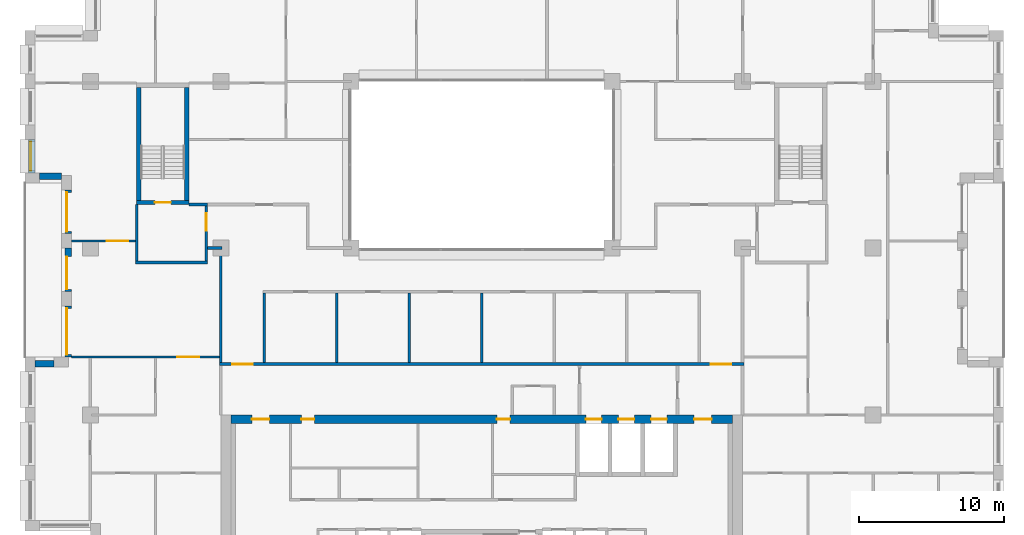
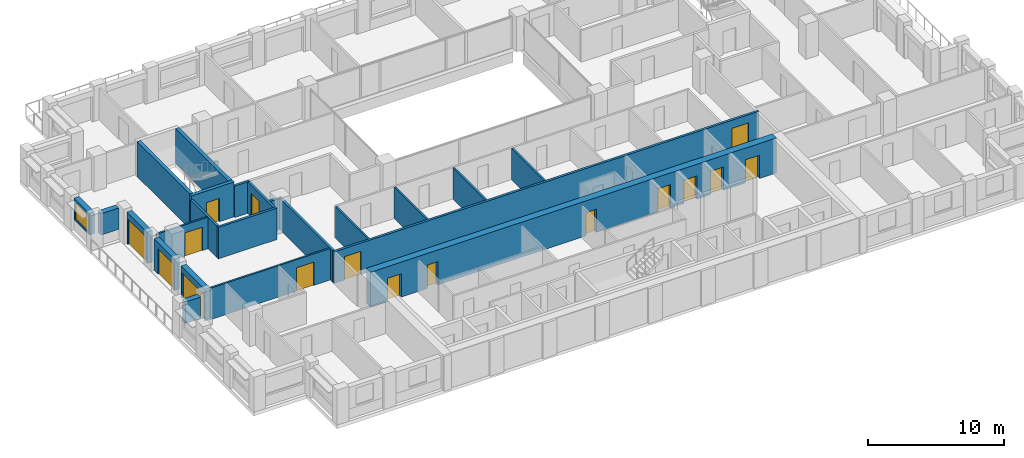
# One storey, part 9 of 15: 23 walls, 16 doors, 1 window, 17 openings.
"""IFC4 building model written with IfcOpenShell, lengths in metres."""

from ifc_helpers import new_model, si_unit, direction, frame, frame_2d, origin, place, context, subcontext, project, spatial, rectangle, extrude, material, layer, layer_set, type_object, element, fill, save


model = new_model("IFC4")

# Units and contexts
model_context = context("Model", 3, precision=1e-05, world=origin(), true_north=direction((0.0, 1.0)))
body_context = subcontext(model_context, "Body", "Model", "MODEL_VIEW")
ifc_project = project(units=[si_unit("LENGTHUNIT", "METRE"), si_unit("AREAUNIT", "SQUARE_METRE"), si_unit("VOLUMEUNIT", "CUBIC_METRE"), si_unit("PLANEANGLEUNIT", "RADIAN"), si_unit("MASSUNIT", "GRAM", prefix="KILO")], contexts=[model_context])

# Site, building, storey
site_placement = place(None, origin())
site = spatial("IfcSite", under=ifc_project, at=site_placement, CompositionType="ELEMENT")
building_placement = place(site_placement, origin())
building = spatial("IfcBuilding", under=site, at=building_placement, Name="Brigalow Station Residences", CompositionType="ELEMENT")
storey_placement = place(building_placement, frame((0.0, 0.0, 150.75)))
storey = spatial("IfcBuildingStorey", under=building, at=storey_placement, Name="L43", CompositionType="ELEMENT", Elevation=150.75)

# Wall, opening, window
ifc_material_1 = material(Name="Clay brick masonry", Category="masonry")
ifc_layer_1 = layer(ifc_material_1, 0.449951171875)
ifc_layer_set_1 = layer_set([ifc_layer_1], Name="BRICK INFILL WALL 450")
wall_type_1 = type_object("IfcWallType", Name="BRICK INFILL WALL 450", PredefinedType="SOLIDWALL", material=ifc_layer_set_1)
wall_1_placement = place(storey_placement, frame((4.97509765625, 31.5, 0.89990234375), z_axis=(0.0, 0.0, 1.0), x_axis=(0.0, -1.0, 0.0)))
wall_1 = element("IfcWall", 1, at=wall_1_placement, inside=storey, type_object=wall_type_1, Name="L43/ewall/W-L43-39", PredefinedType="SOLIDWALL", context=body_context, shape_type="SweptSolid", body=[
    extrude(rectangle(XDim=2.300048828125, YDim=0.449951171875, at=frame_2d((1.14990234375, 0.0))), origin(), (0.0, 0.0, 1.0), 1.93017578125),
])
opening_1_placement = place(wall_1_placement, frame((0.14990234375, 0.0, 0.14990234375)))
opening_1 = element("IfcOpeningElement", 2, at=opening_1_placement, cuts=wall_1, Name="Opening WT-7", PredefinedType="OPENING", context=body_context, shape_type="SweptSolid", body=[
    extrude(rectangle(XDim=2.0, YDim=1.5, at=frame_2d((1.0, 0.75))), frame((0.0, 0.23486328125, 0.0), z_axis=(0.0, -1.0, 0.0), x_axis=(1.0, 0.0, 0.0)), (0.0, 0.0, 1.0), 0.469970703125),
])
ifc_material_2 = material(Name="Anodised aluminium frame with double glazing", Category="aluminium")
window_type = type_object("IfcWindowType", Name="WINDOW 2000x1500", PartitioningType="SINGLE_PANEL", PredefinedType="WINDOW", material=ifc_material_2)
window_placement = place(opening_1_placement, origin())
window = element("IfcWindow", 3, at=window_placement, inside=storey, type_object=window_type, Name="L43/window/W-L43-39", OverallHeight=1.5, OverallWidth=2.0, PartitioningType="SINGLE_PANEL", PredefinedType="WINDOW", context=body_context, shape_type="SweptSolid", body=[
    extrude(rectangle(XDim=2.0, YDim=1.5, at=frame_2d((1.0, 0.75))), frame((0.0, -0.06494140625, 0.0), z_axis=(0.0, -1.0, 0.0), x_axis=(1.0, 0.0, 0.0)), (0.0, 0.0, 1.0), 0.06005859375),
])
fill(opening_1, window)

# Wall
wall_2_placement = place(storey_placement, frame((5.5, 28.97509765625, 0.89990234375), z_axis=(0.0, 0.0, 1.0), x_axis=(1.0, 0.0, 0.0)))
element("IfcWall", 4, at=wall_2_placement, inside=storey, type_object=wall_type_1, Name="L43/ewall/W-L43-40", PredefinedType="SOLIDWALL", context=body_context, shape_type="SweptSolid", body=[
    extrude(rectangle(XDim=1.5, YDim=0.449951171875, at=frame_2d((0.75, 0.0))), origin(), (0.0, 0.0, 1.0), 1.93017578125),
])

# Wall, opening, door
wall_3_placement = place(storey_placement, frame((7.47509765625, 28.0, 0.0), z_axis=(0.0, 0.0, 1.0), x_axis=(0.0, -1.0, 0.0)))
wall_3 = element("IfcWall", 5, at=wall_3_placement, inside=storey, type_object=wall_type_1, Name="L43/ewall/W-L43-41", PredefinedType="SOLIDWALL", context=body_context, shape_type="SweptSolid", body=[
    extrude(rectangle(XDim=3.0, YDim=0.449951171875, at=frame_2d((1.5, 0.0))), origin(), (0.0, 0.0, 1.0), 2.830078125),
])
opening_2_placement = place(wall_3_placement, frame((0.14990234375, 0.0, 0.0)))
opening_2 = element("IfcOpeningElement", 6, at=opening_2_placement, cuts=wall_3, Name="Opening D-B2700", PredefinedType="OPENING", context=body_context, shape_type="SweptSolid", body=[
    extrude(rectangle(XDim=2.699951171875, YDim=2.300048828125, at=frame_2d((1.35009765625, 1.14990234375))), frame((0.0, 0.23486328125, 0.0), z_axis=(0.0, -1.0, 0.0), x_axis=(1.0, 0.0, 0.0)), (0.0, 0.0, 1.0), 0.469970703125),
])
ifc_material_3 = material(Name="Anodised aluminium frame with double glazing", Category="aluminium")
door_type_1 = type_object("IfcDoorType", Name="BALCONY SLIDING DOOR 2700x2300", OperationType="SLIDING_TO_LEFT", PredefinedType="DOOR", material=ifc_material_3)
door_1_placement = place(opening_2_placement, origin())
door_1 = element("IfcDoor", 7, at=door_1_placement, inside=storey, type_object=door_type_1, Name="L43/balcony-door/W-L43-41", OperationType="SLIDING_TO_LEFT", OverallHeight=2.300048828125, OverallWidth=2.699951171875, PredefinedType="DOOR", context=body_context, shape_type="SweptSolid", body=[
    extrude(rectangle(XDim=2.699951171875, YDim=2.300048828125, at=frame_2d((1.35009765625, 1.14990234375))), frame((0.0, -0.06982421875, 0.0), z_axis=(0.0, -1.0, 0.0), x_axis=(1.0, 0.0, 0.0)), (0.0, 0.0, 1.0), 0.050048828125),
])
fill(opening_2, door_1)

wall_4_placement = place(storey_placement, frame((7.47509765625, 24.0, 0.0), z_axis=(0.0, 0.0, 1.0), x_axis=(0.0, -1.0, 0.0)))
wall_4 = element("IfcWall", 8, at=wall_4_placement, inside=storey, type_object=wall_type_1, Name="L43/ewall/W-L43-42", PredefinedType="SOLIDWALL", context=body_context, shape_type="SweptSolid", body=[
    extrude(rectangle(XDim=3.0, YDim=0.449951171875, at=frame_2d((1.5, 0.0))), origin(), (0.0, 0.0, 1.0), 2.830078125),
])
opening_3_placement = place(wall_4_placement, frame((0.5849609375, 0.0, 0.0)))
opening_3 = element("IfcOpeningElement", 9, at=opening_3_placement, cuts=wall_4, Name="Opening D-B2250", PredefinedType="OPENING", context=body_context, shape_type="SweptSolid", body=[
    extrude(rectangle(XDim=2.25, YDim=2.300048828125, at=frame_2d((1.125, 1.14990234375))), frame((0.0, 0.23486328125, 0.0), z_axis=(0.0, -1.0, 0.0), x_axis=(1.0, 0.0, 0.0)), (0.0, 0.0, 1.0), 0.469970703125),
])
ifc_material_4 = material(Name="Anodised aluminium frame with double glazing", Category="aluminium")
door_type_2 = type_object("IfcDoorType", Name="BALCONY SLIDING DOOR 2250x2300", OperationType="SLIDING_TO_LEFT", PredefinedType="DOOR", material=ifc_material_4)
door_2_placement = place(opening_3_placement, origin())
door_2 = element("IfcDoor", 10, at=door_2_placement, inside=storey, type_object=door_type_2, Name="L43/balcony-door/W-L43-42", OperationType="SLIDING_TO_LEFT", OverallHeight=2.300048828125, OverallWidth=2.25, PredefinedType="DOOR", context=body_context, shape_type="SweptSolid", body=[
    extrude(rectangle(XDim=2.25, YDim=2.300048828125, at=frame_2d((1.125, 1.14990234375))), frame((0.0, -0.06982421875, 0.0), z_axis=(0.0, -1.0, 0.0), x_axis=(1.0, 0.0, 0.0)), (0.0, 0.0, 1.0), 0.050048828125),
])
fill(opening_3, door_2)

wall_5_placement = place(storey_placement, frame((7.47509765625, 20.0, 0.0), z_axis=(0.0, 0.0, 1.0), x_axis=(0.0, -1.0, 0.0)))
wall_5 = element("IfcWall", 11, at=wall_5_placement, inside=storey, type_object=wall_type_1, Name="L43/ewall/W-L43-43", PredefinedType="SOLIDWALL", context=body_context, shape_type="SweptSolid", body=[
    extrude(rectangle(XDim=3.5, YDim=0.449951171875, at=frame_2d((1.75, 0.0))), origin(), (0.0, 0.0, 1.0), 2.830078125),
])
opening_4_placement = place(wall_5_placement, frame((0.14990234375, 0.0, 0.0)))
opening_4 = element("IfcOpeningElement", 12, at=opening_4_placement, cuts=wall_5, Name="Opening D-B3200", PredefinedType="OPENING", context=body_context, shape_type="SweptSolid", body=[
    extrude(rectangle(XDim=3.199951171875, YDim=2.300048828125, at=frame_2d((1.60009765625, 1.14990234375))), frame((0.0, 0.23486328125, 0.0), z_axis=(0.0, -1.0, 0.0), x_axis=(1.0, 0.0, 0.0)), (0.0, 0.0, 1.0), 0.469970703125),
])
ifc_material_5 = material(Name="Anodised aluminium frame with double glazing", Category="aluminium")
door_type_3 = type_object("IfcDoorType", Name="BALCONY SLIDING DOOR 3200x2300", OperationType="SLIDING_TO_LEFT", PredefinedType="DOOR", material=ifc_material_5)
door_3_placement = place(opening_4_placement, origin())
door_3 = element("IfcDoor", 13, at=door_3_placement, inside=storey, type_object=door_type_3, Name="L43/balcony-door/W-L43-43", OperationType="SLIDING_TO_LEFT", OverallHeight=2.300048828125, OverallWidth=3.199951171875, PredefinedType="DOOR", context=body_context, shape_type="SweptSolid", body=[
    extrude(rectangle(XDim=3.199951171875, YDim=2.300048828125, at=frame_2d((1.60009765625, 1.14990234375))), frame((0.0, -0.06982421875, 0.0), z_axis=(0.0, -1.0, 0.0), x_axis=(1.0, 0.0, 0.0)), (0.0, 0.0, 1.0), 0.050048828125),
])
fill(opening_4, door_3)

# Wall
wall_6_placement = place(storey_placement, frame((6.5, 16.02490234375, 0.89990234375), z_axis=(0.0, 0.0, 1.0), x_axis=(-1.0, 0.0, 0.0)))
element("IfcWall", 14, at=wall_6_placement, inside=storey, type_object=wall_type_1, Name="L43/ewall/W-L43-44", PredefinedType="SOLIDWALL", context=body_context, shape_type="SweptSolid", body=[
    extrude(rectangle(XDim=1.300048828125, YDim=0.449951171875, at=frame_2d((0.64990234375, 0.0))), origin(), (0.0, 0.0, 1.0), 1.93017578125),
])

# Wall, opening, door
ifc_material_6 = material(Name="Concrete C65", Category="concrete")
ifc_layer_2 = layer(ifc_material_6, 0.300048828125)
ifc_layer_set_2 = layer_set([ifc_layer_2], Name="CORE SHEAR WALL 300 C65")
wall_type_2 = type_object("IfcWallType", Name="CORE SHEAR WALL 300 C65", PredefinedType="SHEAR", material=ifc_layer_set_2)
wall_7_placement = place(storey_placement, frame((12.199951171875, 27.14990234375, 0.0), z_axis=(0.0, 0.0, 1.0), x_axis=(1.0, 0.0, 0.0)))
wall_7 = element("IfcWall", 15, at=wall_7_placement, inside=storey, type_object=wall_type_2, Name="CORE WALL ST-S1-S L43", PredefinedType="SHEAR", context=body_context, shape_type="SweptSolid", body=[
    extrude(rectangle(XDim=3.60009765625, YDim=0.300048828125, at=frame_2d((1.800048828125, 0.0))), origin(), (0.0, 0.0, 1.0), 3.14990234375),
])
opening_5_placement = place(wall_7_placement, frame((1.25, 0.0, 0.0)))
opening_5 = element("IfcOpeningElement", 16, at=opening_5_placement, cuts=wall_7, Name="Opening D-5015", PredefinedType="OPENING", context=body_context, shape_type="SweptSolid", body=[
    extrude(rectangle(XDim=1.10009765625, YDim=2.10009765625, at=frame_2d((0.550048828125, 1.050048828125))), frame((0.0, 0.16015625, 0.0), z_axis=(0.0, -1.0, 0.0), x_axis=(1.0, 0.0, 0.0)), (0.0, 0.0, 1.0), 0.320068359375),
])
ifc_material_7 = material(Name="Steel fire door leaf in steel frame", Category="steel")
door_type_4 = type_object("IfcDoorType", Name="STAIR DOOR 1100 x 2100 FD60S", OperationType="SINGLE_SWING_LEFT", PredefinedType="DOOR", material=ifc_material_7)
door_4_placement = place(opening_5_placement, origin())
door_4 = element("IfcDoor", 17, at=door_4_placement, inside=storey, type_object=door_type_4, Name="D-5015", OperationType="SINGLE_SWING_LEFT", OverallHeight=2.10009765625, OverallWidth=1.10009765625, PredefinedType="DOOR", context=body_context, shape_type="SweptSolid", body=[
    extrude(rectangle(XDim=1.10009765625, YDim=2.10009765625, at=frame_2d((0.550048828125, 1.050048828125))), frame((0.0, 0.02490234375, 0.0), z_axis=(0.0, -1.0, 0.0), x_axis=(1.0, 0.0, 0.0)), (0.0, 0.0, 1.0), 0.050048828125),
])
fill(opening_5, door_4)

# Walls
for number, where, z_axis, x_axis, name in (
    (18, (12.35009765625, 27.300048828125, 0.0), (0.0, 0.0, 1.0), (0.0, 1.0, 0.0), "CORE WALL ST-S1-W L43"),
    (19, (15.64990234375, 27.300048828125, 0.0), (0.0, 0.0, 1.0), (0.0, 1.0, 0.0), "CORE WALL ST-S1-E L43"),
):
    element("IfcWall", number, at=place(storey_placement, frame(where, z_axis=z_axis, x_axis=x_axis)), inside=storey, type_object=wall_type_2, Name=name, PredefinedType="SHEAR", context=body_context, shape_type="SweptSolid", body=[
        extrude(rectangle(XDim=7.800048828125, YDim=0.300048828125, at=frame_2d((3.89990234375, 0.0))), origin(), (0.0, 0.0, 1.0), 3.14990234375),
    ])

# Wall, openings, doors
ifc_material_8 = material(Name="Concrete C65", Category="concrete")
ifc_layer_3 = layer(ifc_material_8, 0.60009765625)
ifc_layer_set_3 = layer_set([ifc_layer_3], Name="CORE SHEAR WALL 600 C65")
wall_type_3 = type_object("IfcWallType", Name="CORE SHEAR WALL 600 C65", PredefinedType="SHEAR", material=ifc_layer_set_3)
wall_8_placement = place(storey_placement, frame((18.699951171875, 12.199951171875, 0.0), z_axis=(0.0, 0.0, 1.0), x_axis=(1.0, 0.0, 0.0)))
wall_8 = element("IfcWall", 20, at=wall_8_placement, inside=storey, type_object=wall_type_3, Name="CORE WALL OUT-N L43", PredefinedType="SHEAR", context=body_context, shape_type="SweptSolid", body=[
    extrude(rectangle(XDim=34.60009765625, YDim=0.60009765625, at=frame_2d((17.300048828125, 0.0))), origin(), (0.0, 0.0, 1.0), 3.14990234375),
])
opening_6_placement = place(wall_8_placement, frame((24.47509765625, 0.0, 0.0)))
opening_6 = element("IfcOpeningElement", 21, at=opening_6_placement, cuts=wall_8, Name="Opening LD-LF1", PredefinedType="OPENING", context=body_context, shape_type="SweptSolid", body=[
    extrude(rectangle(XDim=1.10009765625, YDim=2.10009765625, at=frame_2d((0.550048828125, 1.050048828125))), frame((0.0, 0.31005859375, 0.0), z_axis=(0.0, -1.0, 0.0), x_axis=(1.0, 0.0, 0.0)), (0.0, 0.0, 1.0), 0.6201171875),
])
opening_7_placement = place(wall_8_placement, frame((26.72509765625, 0.0, 0.0)))
opening_7 = element("IfcOpeningElement", 22, at=opening_7_placement, cuts=wall_8, Name="Opening LD-LF2", PredefinedType="OPENING", context=body_context, shape_type="SweptSolid", body=[
    extrude(rectangle(XDim=1.10009765625, YDim=2.10009765625, at=frame_2d((0.550048828125, 1.050048828125))), frame((0.0, 0.31005859375, 0.0), z_axis=(0.0, -1.0, 0.0), x_axis=(1.0, 0.0, 0.0)), (0.0, 0.0, 1.0), 0.6201171875),
])
opening_8_placement = place(wall_8_placement, frame((28.97509765625, 0.0, 0.0)))
opening_8 = element("IfcOpeningElement", 23, at=opening_8_placement, cuts=wall_8, Name="Opening LD-LG1", PredefinedType="OPENING", context=body_context, shape_type="SweptSolid", body=[
    extrude(rectangle(XDim=1.10009765625, YDim=2.10009765625, at=frame_2d((0.550048828125, 1.050048828125))), frame((0.0, 0.31005859375, 0.0), z_axis=(0.0, -1.0, 0.0), x_axis=(1.0, 0.0, 0.0)), (0.0, 0.0, 1.0), 0.6201171875),
])
opening_9_placement = place(wall_8_placement, frame((4.85009765625, 0.0, 0.0)))
opening_9 = element("IfcOpeningElement", 24, at=opening_9_placement, cuts=wall_8, Name="Opening D-5118", PredefinedType="OPENING", context=body_context, shape_type="SweptSolid", body=[
    extrude(rectangle(XDim=0.89990234375, YDim=2.10009765625, at=frame_2d((0.449951171875, 1.050048828125))), frame((0.0, 0.31005859375, 0.0), z_axis=(0.0, -1.0, 0.0), x_axis=(1.0, 0.0, 0.0)), (0.0, 0.0, 1.0), 0.6201171875),
])
opening_10_placement = place(wall_8_placement, frame((18.35009765625, 0.0, 0.0)))
opening_10 = element("IfcOpeningElement", 25, at=opening_10_placement, cuts=wall_8, Name="Opening D-5119", PredefinedType="OPENING", context=body_context, shape_type="SweptSolid", body=[
    extrude(rectangle(XDim=0.89990234375, YDim=2.10009765625, at=frame_2d((0.449951171875, 1.050048828125))), frame((0.0, 0.31005859375, 0.0), z_axis=(0.0, -1.0, 0.0), x_axis=(1.0, 0.0, 0.0)), (0.0, 0.0, 1.0), 0.6201171875),
])
opening_11_placement = place(wall_8_placement, frame((1.449951171875, 0.0, 0.0)))
opening_11 = element("IfcOpeningElement", 26, at=opening_11_placement, cuts=wall_8, Name="Opening D-5011", PredefinedType="OPENING", context=body_context, shape_type="SweptSolid", body=[
    extrude(rectangle(XDim=1.199951171875, YDim=2.10009765625, at=frame_2d((0.60009765625, 1.050048828125))), frame((0.0, 0.31005859375, 0.0), z_axis=(0.0, -1.0, 0.0), x_axis=(1.0, 0.0, 0.0)), (0.0, 0.0, 1.0), 0.6201171875),
])
opening_12_placement = place(wall_8_placement, frame((31.949951171875, 0.0, 0.0)))
opening_12 = element("IfcOpeningElement", 27, at=opening_12_placement, cuts=wall_8, Name="Opening D-5012", PredefinedType="OPENING", context=body_context, shape_type="SweptSolid", body=[
    extrude(rectangle(XDim=1.199951171875, YDim=2.10009765625, at=frame_2d((0.60009765625, 1.050048828125))), frame((0.0, 0.31005859375, 0.0), z_axis=(0.0, -1.0, 0.0), x_axis=(1.0, 0.0, 0.0)), (0.0, 0.0, 1.0), 0.6201171875),
])
ifc_material_9 = material(Name="Steel fire door leaf in steel frame", Category="steel")
door_type_5 = type_object("IfcDoorType", Name="CORE CORRIDOR DOOR 1200 x 2100 FD60S", OperationType="SINGLE_SWING_LEFT", PredefinedType="DOOR", material=ifc_material_9)
door_5_placement = place(opening_11_placement, frame((1.199951171875, 0.0, 0.0), z_axis=(0.0, 0.0, 1.0), x_axis=(-1.0, 0.0, 0.0)))
door_5 = element("IfcDoor", 28, at=door_5_placement, inside=storey, type_object=door_type_5, Name="D-5011", OperationType="SINGLE_SWING_LEFT", OverallHeight=2.10009765625, OverallWidth=1.199951171875, PredefinedType="DOOR", context=body_context, shape_type="SweptSolid", body=[
    extrude(rectangle(XDim=1.199951171875, YDim=2.10009765625, at=frame_2d((0.60009765625, 1.050048828125))), frame((0.0, 0.02490234375, 0.0), z_axis=(0.0, -1.0, 0.0), x_axis=(1.0, 0.0, 0.0)), (0.0, 0.0, 1.0), 0.050048828125),
])
fill(opening_11, door_5)
door_6_placement = place(opening_12_placement, frame((1.199951171875, 0.0, 0.0), z_axis=(0.0, 0.0, 1.0), x_axis=(-1.0, 0.0, 0.0)))
door_6 = element("IfcDoor", 29, at=door_6_placement, inside=storey, type_object=door_type_5, Name="D-5012", OperationType="SINGLE_SWING_LEFT", OverallHeight=2.10009765625, OverallWidth=1.199951171875, PredefinedType="DOOR", context=body_context, shape_type="SweptSolid", body=[
    extrude(rectangle(XDim=1.199951171875, YDim=2.10009765625, at=frame_2d((0.60009765625, 1.050048828125))), frame((0.0, 0.02490234375, 0.0), z_axis=(0.0, -1.0, 0.0), x_axis=(1.0, 0.0, 0.0)), (0.0, 0.0, 1.0), 0.050048828125),
])
fill(opening_12, door_6)
ifc_material_10 = material(Name="Stainless steel sliding door leaves", Category="steel")
door_type_6 = type_object("IfcDoorType", Name="LIFT LANDING DOOR 1100 x 2100", OperationType="DOUBLE_DOOR_SLIDING", PredefinedType="DOOR", material=ifc_material_10)
door_7_placement = place(opening_6_placement, origin())
door_7 = element("IfcDoor", 30, at=door_7_placement, inside=storey, type_object=door_type_6, Name="LANDING DOOR LF1", OperationType="DOUBLE_DOOR_SLIDING", OverallHeight=2.10009765625, OverallWidth=1.10009765625, PredefinedType="DOOR", context=body_context, shape_type="SweptSolid", body=[
    extrude(rectangle(XDim=1.10009765625, YDim=2.10009765625, at=frame_2d((0.550048828125, 1.050048828125))), frame((0.0, 0.02490234375, 0.0), z_axis=(0.0, -1.0, 0.0), x_axis=(1.0, 0.0, 0.0)), (0.0, 0.0, 1.0), 0.050048828125),
])
fill(opening_6, door_7)
door_8_placement = place(opening_7_placement, origin())
door_8 = element("IfcDoor", 31, at=door_8_placement, inside=storey, type_object=door_type_6, Name="LANDING DOOR LF2", OperationType="DOUBLE_DOOR_SLIDING", OverallHeight=2.10009765625, OverallWidth=1.10009765625, PredefinedType="DOOR", context=body_context, shape_type="SweptSolid", body=[
    extrude(rectangle(XDim=1.10009765625, YDim=2.10009765625, at=frame_2d((0.550048828125, 1.050048828125))), frame((0.0, 0.02490234375, 0.0), z_axis=(0.0, -1.0, 0.0), x_axis=(1.0, 0.0, 0.0)), (0.0, 0.0, 1.0), 0.050048828125),
])
fill(opening_7, door_8)
door_9_placement = place(opening_8_placement, origin())
door_9 = element("IfcDoor", 32, at=door_9_placement, inside=storey, type_object=door_type_6, Name="LANDING DOOR LG1", OperationType="DOUBLE_DOOR_SLIDING", OverallHeight=2.10009765625, OverallWidth=1.10009765625, PredefinedType="DOOR", context=body_context, shape_type="SweptSolid", body=[
    extrude(rectangle(XDim=1.10009765625, YDim=2.10009765625, at=frame_2d((0.550048828125, 1.050048828125))), frame((0.0, 0.02490234375, 0.0), z_axis=(0.0, -1.0, 0.0), x_axis=(1.0, 0.0, 0.0)), (0.0, 0.0, 1.0), 0.050048828125),
])
fill(opening_8, door_9)
ifc_material_11 = material(Name="Steel door leaf in steel frame", Category="steel")
door_type_7 = type_object("IfcDoorType", Name="SERVICE ROOM DOOR 900 x 2100 FD60", OperationType="SINGLE_SWING_LEFT", PredefinedType="DOOR", material=ifc_material_11)
door_10_placement = place(opening_9_placement, frame((0.89990234375, 0.0, 0.0), z_axis=(0.0, 0.0, 1.0), x_axis=(-1.0, 0.0, 0.0)))
door_10 = element("IfcDoor", 33, at=door_10_placement, inside=storey, type_object=door_type_7, Name="D-5118", OperationType="SINGLE_SWING_RIGHT", OverallHeight=2.10009765625, OverallWidth=0.89990234375, PredefinedType="DOOR", context=body_context, shape_type="SweptSolid", body=[
    extrude(rectangle(XDim=0.89990234375, YDim=2.10009765625, at=frame_2d((0.449951171875, 1.050048828125))), frame((0.0, 0.02490234375, 0.0), z_axis=(0.0, -1.0, 0.0), x_axis=(1.0, 0.0, 0.0)), (0.0, 0.0, 1.0), 0.050048828125),
])
fill(opening_9, door_10)
door_11_placement = place(opening_10_placement, frame((0.89990234375, 0.0, 0.0), z_axis=(0.0, 0.0, 1.0), x_axis=(-1.0, 0.0, 0.0)))
door_11 = element("IfcDoor", 34, at=door_11_placement, inside=storey, type_object=door_type_7, Name="D-5119", OperationType="SINGLE_SWING_RIGHT", OverallHeight=2.10009765625, OverallWidth=0.89990234375, PredefinedType="DOOR", context=body_context, shape_type="SweptSolid", body=[
    extrude(rectangle(XDim=0.89990234375, YDim=2.10009765625, at=frame_2d((0.449951171875, 1.050048828125))), frame((0.0, 0.02490234375, 0.0), z_axis=(0.0, -1.0, 0.0), x_axis=(1.0, 0.0, 0.0)), (0.0, 0.0, 1.0), 0.050048828125),
])
fill(opening_10, door_11)

# Walls
ifc_material_12 = material(Name="Concrete blockwork", Category="masonry")
ifc_layer_4 = layer(ifc_material_12, 0.199951171875)
ifc_layer_set_4 = layer_set([ifc_layer_4], Name="FIRE RATED CORE PARTITION 200")
wall_type_4 = type_object("IfcWallType", Name="FIRE RATED CORE PARTITION 200", PredefinedType="PARTITIONING", material=ifc_layer_set_4)
wall_9_placement = place(storey_placement, frame((12.10009765625, 23.0, 0.0), z_axis=(0.0, 0.0, 1.0), x_axis=(1.0, 0.0, 0.0)))
element("IfcWall", 35, at=wall_9_placement, inside=storey, type_object=wall_type_4, Name="PW-5023", PredefinedType="PARTITIONING", context=body_context, shape_type="SweptSolid", body=[
    extrude(rectangle(XDim=5.0, YDim=0.199951171875, at=frame_2d((2.5, 0.0))), origin(), (0.0, 0.0, 1.0), 2.830078125),
])
wall_10_placement = place(storey_placement, frame((15.800048828125, 27.0, 0.0), z_axis=(0.0, 0.0, 1.0), x_axis=(1.0, 0.0, 0.0)))
element("IfcWall", 36, at=wall_10_placement, inside=storey, type_object=wall_type_4, Name="PW-5025", PredefinedType="PARTITIONING", context=body_context, shape_type="SweptSolid", body=[
    extrude(rectangle(XDim=1.300048828125, YDim=0.199951171875, at=frame_2d((0.64990234375, 0.0))), origin(), (0.0, 0.0, 1.0), 2.830078125),
])
wall_11_placement = place(storey_placement, frame((12.199951171875, 23.10009765625, 0.0), z_axis=(0.0, 0.0, 1.0), x_axis=(0.0, 1.0, 0.0)))
element("IfcWall", 37, at=wall_11_placement, inside=storey, type_object=wall_type_4, Name="PW-5034", PredefinedType="PARTITIONING", context=body_context, shape_type="SweptSolid", body=[
    extrude(rectangle(XDim=3.89990234375, YDim=0.199951171875, at=frame_2d((1.949951171875, 0.0))), origin(), (0.0, 0.0, 1.0), 2.830078125),
])

# Wall, opening, door
wall_12_placement = place(storey_placement, frame((17.0, 23.10009765625, 0.0), z_axis=(0.0, 0.0, 1.0), x_axis=(0.0, 1.0, 0.0)))
wall_12 = element("IfcWall", 38, at=wall_12_placement, inside=storey, type_object=wall_type_4, Name="PW-5035", PredefinedType="PARTITIONING", context=body_context, shape_type="SweptSolid", body=[
    extrude(rectangle(XDim=3.7998046875, YDim=0.199951171875, at=frame_2d((1.89990234375, 0.0))), origin(), (0.0, 0.0, 1.0), 2.830078125),
])
opening_13_placement = place(wall_12_placement, frame((2.10009765625, 0.0, 0.0)))
opening_13 = element("IfcOpeningElement", 39, at=opening_13_placement, cuts=wall_12, Name="Opening D-5016", PredefinedType="OPENING", context=body_context, shape_type="SweptSolid", body=[
    extrude(rectangle(XDim=1.199951171875, YDim=2.10009765625, at=frame_2d((0.60009765625, 1.050048828125))), frame((0.0, 0.10986328125, 0.0), z_axis=(0.0, -1.0, 0.0), x_axis=(1.0, 0.0, 0.0)), (0.0, 0.0, 1.0), 0.219970703125),
])
ifc_material_13 = material(Name="Steel fire door leaf in steel frame", Category="steel")
door_type_8 = type_object("IfcDoorType", Name="STAIR LOBBY DOOR 1200 x 2100 FD60S", OperationType="SINGLE_SWING_LEFT", PredefinedType="DOOR", material=ifc_material_13)
door_12_placement = place(opening_13_placement, origin())
door_12 = element("IfcDoor", 40, at=door_12_placement, inside=storey, type_object=door_type_8, Name="D-5016", OperationType="SINGLE_SWING_RIGHT", OverallHeight=2.10009765625, OverallWidth=1.199951171875, PredefinedType="DOOR", context=body_context, shape_type="SweptSolid", body=[
    extrude(rectangle(XDim=1.199951171875, YDim=2.10009765625, at=frame_2d((0.60009765625, 1.050048828125))), frame((0.0, 0.02490234375, 0.0), z_axis=(0.0, -1.0, 0.0), x_axis=(1.0, 0.0, 0.0)), (0.0, 0.0, 1.0), 0.050048828125),
])
fill(opening_13, door_12)

ifc_material_14 = material(Name="Plasterboard on steel stud partition", Category="steel")
ifc_layer_5 = layer(ifc_material_14, 0.14990234375)
ifc_layer_set_5 = layer_set([ifc_layer_5], Name="FLAT PARTITION 150")
wall_type_5 = type_object("IfcWallType", Name="FLAT PARTITION 150", PredefinedType="PARTITIONING", material=ifc_layer_set_5)
wall_13_placement = place(storey_placement, frame((7.699951171875, 24.5, 0.0), z_axis=(0.0, 0.0, 1.0), x_axis=(1.0, 0.0, 0.0)))
wall_13 = element("IfcWall", 41, at=wall_13_placement, inside=storey, type_object=wall_type_5, Name="PW-3B17", PredefinedType="PARTITIONING", context=body_context, shape_type="SweptSolid", body=[
    extrude(rectangle(XDim=4.400146484375, YDim=0.14990234375, at=frame_2d((2.2001953125, 0.0))), origin(), (0.0, 0.0, 1.0), 2.830078125),
])
opening_14_placement = place(wall_13_placement, frame((2.425048828125, 0.0, 0.0)))
opening_14 = element("IfcOpeningElement", 42, at=opening_14_placement, cuts=wall_13, Name="Opening D-3B11", PredefinedType="OPENING", context=body_context, shape_type="SweptSolid", body=[
    extrude(rectangle(XDim=1.5, YDim=2.10009765625, at=frame_2d((0.75, 1.050048828125))), frame((0.0, 0.0849609375, 0.0), z_axis=(0.0, -1.0, 0.0), x_axis=(1.0, 0.0, 0.0)), (0.0, 0.0, 1.0), 0.169921875),
])
ifc_material_15 = material(Name="Solid-core timber door leaf", Category="wood")
door_type_9 = type_object("IfcDoorType", Name="INTERNAL DOUBLE DOOR 1500 x 2100", OperationType="DOUBLE_DOOR_SINGLE_SWING", PredefinedType="DOOR", material=ifc_material_15)
door_13_placement = place(opening_14_placement, origin())
door_13 = element("IfcDoor", 43, at=door_13_placement, inside=storey, type_object=door_type_9, Name="D-3B11", OperationType="DOUBLE_DOOR_SINGLE_SWING", OverallHeight=2.10009765625, OverallWidth=1.5, PredefinedType="DOOR", context=body_context, shape_type="SweptSolid", body=[
    extrude(rectangle(XDim=1.5, YDim=2.10009765625, at=frame_2d((0.75, 1.050048828125))), frame((0.0, 0.02490234375, 0.0), z_axis=(0.0, -1.0, 0.0), x_axis=(1.0, 0.0, 0.0)), (0.0, 0.0, 1.0), 0.050048828125),
])
fill(opening_14, door_13)

wall_14_placement = place(storey_placement, frame((7.699951171875, 16.5, 0.0), z_axis=(0.0, 0.0, 1.0), x_axis=(1.0, 0.0, 0.0)))
wall_14 = element("IfcWall", 44, at=wall_14_placement, inside=storey, type_object=wall_type_5, Name="PW-3B19", PredefinedType="PARTITIONING", context=body_context, shape_type="SweptSolid", body=[
    extrude(rectangle(XDim=10.199951171875, YDim=0.14990234375, at=frame_2d((5.10009765625, 0.0))), origin(), (0.0, 0.0, 1.0), 2.830078125),
])
opening_15_placement = place(wall_14_placement, frame((7.300048828125, 0.0, 0.0)))
opening_15 = element("IfcOpeningElement", 45, at=opening_15_placement, cuts=wall_14, Name="Opening D-3B12", PredefinedType="OPENING", context=body_context, shape_type="SweptSolid", body=[
    extrude(rectangle(XDim=1.5, YDim=2.10009765625, at=frame_2d((0.75, 1.050048828125))), frame((0.0, 0.0849609375, 0.0), z_axis=(0.0, -1.0, 0.0), x_axis=(1.0, 0.0, 0.0)), (0.0, 0.0, 1.0), 0.169921875),
])
door_14_placement = place(opening_15_placement, frame((1.5, 0.0, 0.0), z_axis=(0.0, 0.0, 1.0), x_axis=(-1.0, 0.0, 0.0)))
door_14 = element("IfcDoor", 46, at=door_14_placement, inside=storey, type_object=door_type_9, Name="D-3B12", OperationType="DOUBLE_DOOR_SINGLE_SWING", OverallHeight=2.10009765625, OverallWidth=1.5, PredefinedType="DOOR", context=body_context, shape_type="SweptSolid", body=[
    extrude(rectangle(XDim=1.5, YDim=2.10009765625, at=frame_2d((0.75, 1.050048828125))), frame((0.0, 0.02490234375, 0.0), z_axis=(0.0, -1.0, 0.0), x_axis=(1.0, 0.0, 0.0)), (0.0, 0.0, 1.0), 0.050048828125),
])
fill(opening_15, door_14)

# Walls
for number, where, z_axis, x_axis, name in (
    (47, (21.0, 16.10009765625, 0.0), (0.0, 0.0, 1.0), (0.0, 1.0, 0.0), "PW-3B30"),
    (48, (26.0, 16.10009765625, 0.0), (0.0, 0.0, 1.0), (0.0, 1.0, 0.0), "PW-3B49"),
    (49, (31.0, 16.10009765625, 0.0), (0.0, 0.0, 1.0), (0.0, 1.0, 0.0), "PW-3B50"),
    (50, (36.0, 16.10009765625, 0.0), (0.0, 0.0, 1.0), (0.0, 1.0, 0.0), "PW-3B51"),
):
    element("IfcWall", number, at=place(storey_placement, frame(where, z_axis=z_axis, x_axis=x_axis)), inside=storey, type_object=wall_type_5, Name=name, PredefinedType="PARTITIONING", context=body_context, shape_type="SweptSolid", body=[
        extrude(rectangle(XDim=4.824951171875, YDim=0.14990234375, at=frame_2d((2.41259765625, 0.0))), origin(), (0.0, 0.0, 1.0), 2.830078125),
    ])
ifc_material_16 = material(Name="Plasterboard on steel stud partition", Category="steel")
ifc_layer_6 = layer(ifc_material_16, 0.199951171875)
ifc_layer_set_6 = layer_set([ifc_layer_6], Name="PARTY AND CORRIDOR WALL 200")
wall_type_6 = type_object("IfcWallType", Name="PARTY AND CORRIDOR WALL 200", PredefinedType="PARTITIONING", material=ifc_layer_set_6)
wall_15_placement = place(storey_placement, frame((17.10009765625, 24.0, 0.0), z_axis=(0.0, 0.0, 1.0), x_axis=(1.0, 0.0, 0.0)))
element("IfcWall", 51, at=wall_15_placement, inside=storey, type_object=wall_type_6, Name="PW-3B01", PredefinedType="PARTITIONING", context=body_context, shape_type="SweptSolid", body=[
    extrude(rectangle(XDim=1.0, YDim=0.199951171875, at=frame_2d((0.5, 0.0))), origin(), (0.0, 0.0, 1.0), 2.830078125),
])

# Wall, openings, doors
wall_16_placement = place(storey_placement, frame((17.89990234375, 16.0, 0.0), z_axis=(0.0, 0.0, 1.0), x_axis=(1.0, 0.0, 0.0)))
wall_16 = element("IfcWall", 52, at=wall_16_placement, inside=storey, type_object=wall_type_6, Name="PW-3B26", PredefinedType="PARTITIONING", context=body_context, shape_type="SweptSolid", body=[
    extrude(rectangle(XDim=36.2001953125, YDim=0.199951171875, at=frame_2d((18.10009765625, 0.0))), origin(), (0.0, 0.0, 1.0), 2.830078125),
])
opening_16_placement = place(wall_16_placement, frame((0.89990234375, 0.0, 0.0)))
opening_16 = element("IfcOpeningElement", 53, at=opening_16_placement, cuts=wall_16, Name="Opening D-3B01", PredefinedType="OPENING", context=body_context, shape_type="SweptSolid", body=[
    extrude(rectangle(XDim=1.39990234375, YDim=2.10009765625, at=frame_2d((0.699951171875, 1.050048828125))), frame((0.0, 0.10986328125, 0.0), z_axis=(0.0, -1.0, 0.0), x_axis=(1.0, 0.0, 0.0)), (0.0, 0.0, 1.0), 0.219970703125),
])
opening_17_placement = place(wall_16_placement, frame((33.89990234375, 0.0, 0.0)))
opening_17 = element("IfcOpeningElement", 54, at=opening_17_placement, cuts=wall_16, Name="Opening D-3B02", PredefinedType="OPENING", context=body_context, shape_type="SweptSolid", body=[
    extrude(rectangle(XDim=1.39990234375, YDim=2.10009765625, at=frame_2d((0.699951171875, 1.050048828125))), frame((0.0, 0.10986328125, 0.0), z_axis=(0.0, -1.0, 0.0), x_axis=(1.0, 0.0, 0.0)), (0.0, 0.0, 1.0), 0.219970703125),
])
ifc_material_17 = material(Name="Solid-core timber door leaf", Category="wood")
door_type_10 = type_object("IfcDoorType", Name="CORRIDOR FIRE DOOR 1400 x 2100 FRL -/60/30", OperationType="DOUBLE_DOOR_SINGLE_SWING", PredefinedType="DOOR", material=ifc_material_17)
door_15_placement = place(opening_16_placement, frame((1.39990234375, 0.0, 0.0), z_axis=(0.0, 0.0, 1.0), x_axis=(-1.0, 0.0, 0.0)))
door_15 = element("IfcDoor", 55, at=door_15_placement, inside=storey, type_object=door_type_10, Name="D-3B01", OperationType="DOUBLE_DOOR_SINGLE_SWING", OverallHeight=2.10009765625, OverallWidth=1.39990234375, PredefinedType="DOOR", context=body_context, shape_type="SweptSolid", body=[
    extrude(rectangle(XDim=1.39990234375, YDim=2.10009765625, at=frame_2d((0.699951171875, 1.050048828125))), frame((0.0, 0.02490234375, 0.0), z_axis=(0.0, -1.0, 0.0), x_axis=(1.0, 0.0, 0.0)), (0.0, 0.0, 1.0), 0.050048828125),
])
fill(opening_16, door_15)
door_16_placement = place(opening_17_placement, frame((1.39990234375, 0.0, 0.0), z_axis=(0.0, 0.0, 1.0), x_axis=(-1.0, 0.0, 0.0)))
door_16 = element("IfcDoor", 56, at=door_16_placement, inside=storey, type_object=door_type_10, Name="D-3B02", OperationType="DOUBLE_DOOR_SINGLE_SWING", OverallHeight=2.10009765625, OverallWidth=1.39990234375, PredefinedType="DOOR", context=body_context, shape_type="SweptSolid", body=[
    extrude(rectangle(XDim=1.39990234375, YDim=2.10009765625, at=frame_2d((0.699951171875, 1.050048828125))), frame((0.0, 0.02490234375, 0.0), z_axis=(0.0, -1.0, 0.0), x_axis=(1.0, 0.0, 0.0)), (0.0, 0.0, 1.0), 0.050048828125),
])
fill(opening_17, door_16)

# Wall
wall_17_placement = place(storey_placement, frame((18.0, 16.10009765625, 0.0), z_axis=(0.0, 0.0, 1.0), x_axis=(0.0, 1.0, 0.0)))
element("IfcWall", 57, at=wall_17_placement, inside=storey, type_object=wall_type_6, Name="PW-3B27", PredefinedType="PARTITIONING", context=body_context, shape_type="SweptSolid", body=[
    extrude(rectangle(XDim=7.7998046875, YDim=0.199951171875, at=frame_2d((3.89990234375, 0.0))), origin(), (0.0, 0.0, 1.0), 2.830078125),
])

save(model, "model.ifc")
